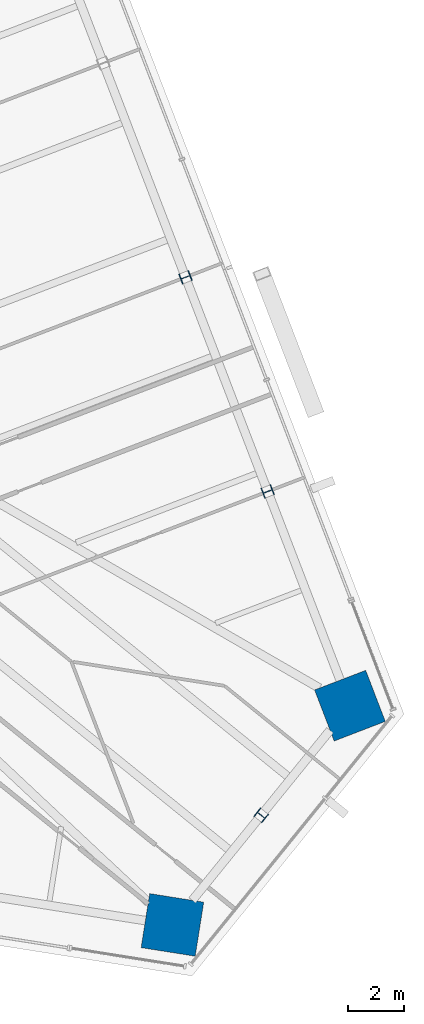
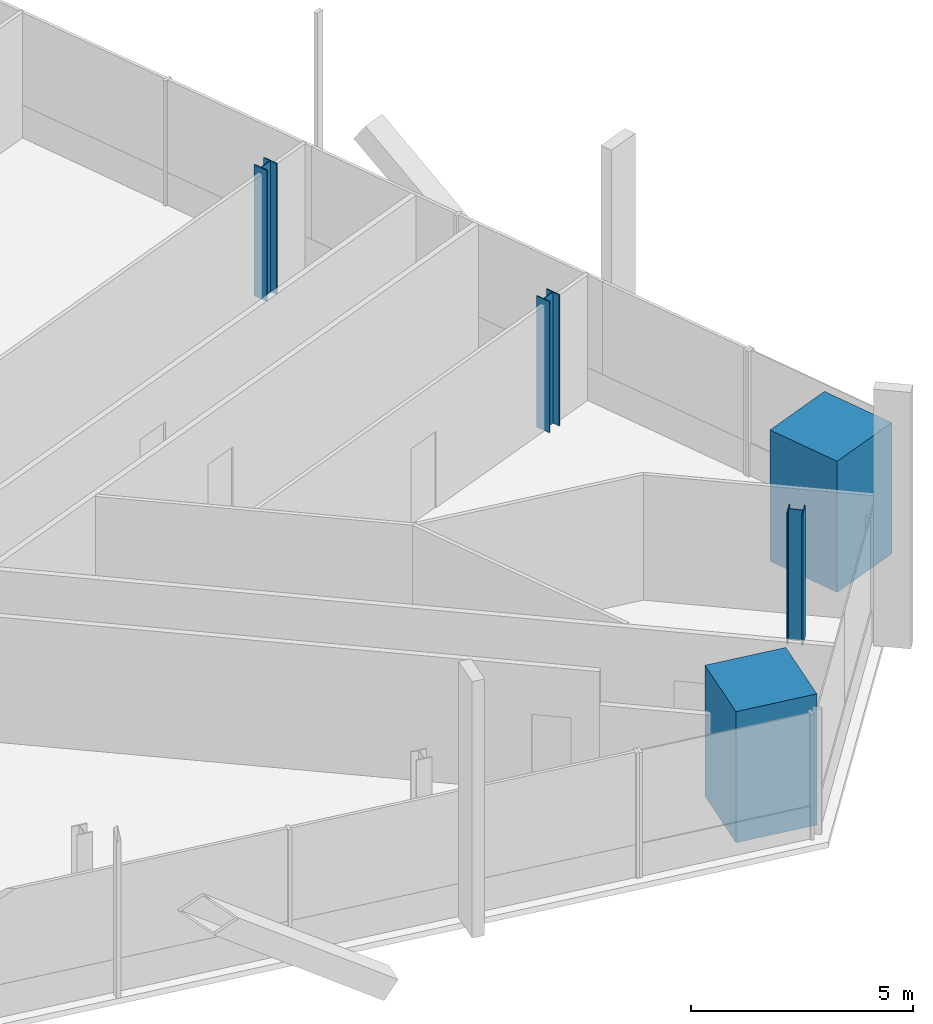
# One storey, part 2 of 21: 5 columns.
"""IFC4 building model written with IfcOpenShell, lengths in metres."""

import ifcopenshell
import ifcopenshell.guid

model = None  # the IFC model being written
_history = None  # IfcOwnerHistory: only IFC2X3 demands one
_inside = {}  # id of a spatial element -> (the spatial element, [elements in it])
_under = {}  # id of a project, library or spatial element -> (it, [spatial elements below it])
_declared = {}  # id of a project -> (the project, [libraries it declares])
_typed = {}  # id of a type object -> (the type object, [elements of that type])
_made_of = {}  # id of a material, layer set ... -> (it, [elements and type objects made of it])


def new_model(schema):
    """Start an empty IFC model of exactly this schema.

    Asked for "IFC4X3", IfcOpenShell would pick the latest addendum, in which some entities
    have other attributes; the version numbers below select the first issue.
    IFC2X3 requires an IfcOwnerHistory on every rooted entity: one is made here for all.
    """
    global model, _history
    if schema == "IFC4X3":
        model = ifcopenshell.file(schema_version=(4, 3, 0, 0))
    else:
        model = ifcopenshell.file(schema=schema)
    _inside.clear()
    _under.clear()
    _declared.clear()
    _typed.clear()
    _made_of.clear()
    _history = None
    if model.schema == "IFC2X3":
        org = make("IfcOrganization", Name="unknown")
        user = make(
            "IfcPersonAndOrganization",
            ThePerson=make("IfcPerson", FamilyName="unknown"),
            TheOrganization=org,
        )
        app = make(
            "IfcApplication",
            ApplicationDeveloper=org,
            Version="unknown",
            ApplicationFullName="unknown",
            ApplicationIdentifier="unknown",
        )
        _history = make(
            "IfcOwnerHistory",
            OwningUser=user,
            OwningApplication=app,
            ChangeAction="ADDED",
            CreationDate=0,
        )
    return model


def make(cls, **values):
    """One entity of the class cls with the attributes given. An attribute that is None is left unset."""
    return model.create_entity(
        cls, **{name: value for name, value in values.items() if value is not None}
    )


def rooted(cls, **values):
    """An entity with a GlobalId (a new one), such as an element, a storey or a relation."""
    return make(cls, GlobalId=ifcopenshell.guid.new(), OwnerHistory=_history, **values)


def si_unit(unit_type, name, prefix=None):
    """IfcSIUnit, for example si_unit("LENGTHUNIT", "METRE", prefix="MILLI")."""
    return make("IfcSIUnit", UnitType=unit_type, Prefix=prefix, Name=name)


def assignment(units):
    """IfcUnitAssignment: the units of a project."""
    return None if units is None else make("IfcUnitAssignment", Units=units)


def point(xyz):
    """IfcCartesianPoint."""
    return None if xyz is None else make("IfcCartesianPoint", Coordinates=xyz)


def direction(xyz):
    """IfcDirection."""
    return None if xyz is None else make("IfcDirection", DirectionRatios=xyz)


def frame(location, z_axis=None, x_axis=None):
    """IfcAxis2Placement3D, a coordinate frame: its origin and axes. An axis left out is left unset."""
    return make(
        "IfcAxis2Placement3D",
        Location=point(location),
        Axis=direction(z_axis),
        RefDirection=direction(x_axis),
    )


def frame_2d(location, x_axis=None):
    """IfcAxis2Placement2D, a coordinate frame in the plane: its origin and x axis."""
    return make(
        "IfcAxis2Placement2D", Location=point(location), RefDirection=direction(x_axis)
    )


def origin():
    """The frame at (0, 0, 0) with its axes left unset."""
    return frame((0.0, 0.0, 0.0))


def origin_2d():
    """The frame at (0, 0) in the plane with its x axis left unset."""
    return frame_2d((0.0, 0.0))


def place(relative_to, where):
    """IfcLocalPlacement: puts the frame where relative to a parent placement (None: the world)."""
    return make(
        "IfcLocalPlacement", PlacementRelTo=relative_to, RelativePlacement=where
    )


def context(
    kind, dimensions, precision=None, world=None, true_north=None, identifier=None
):
    """IfcGeometricRepresentationContext, for example the 3D "Model" context."""
    return make(
        "IfcGeometricRepresentationContext",
        ContextIdentifier=identifier,
        ContextType=kind,
        CoordinateSpaceDimension=dimensions,
        Precision=precision,
        WorldCoordinateSystem=world,
        TrueNorth=true_north,
    )


def subcontext(parent, identifier, kind, view, scale=None):
    """IfcGeometricRepresentationSubContext, for example "Body" below "Model"."""
    return make(
        "IfcGeometricRepresentationSubContext",
        ContextIdentifier=identifier,
        ContextType=kind,
        ParentContext=parent,
        TargetScale=scale,
        TargetView=view,
    )


def project(units=None, contexts=None):
    """IfcProject with its units and contexts."""
    return rooted(
        "IfcProject",
        Name="project",
        RepresentationContexts=contexts,
        UnitsInContext=assignment(units),
    )


def spatial(cls, under=None, at=None, **own):
    """A site, building, storey or space (cls), placed at a placement, below another one or the project."""
    s = rooted(cls, ObjectPlacement=at, **own)
    if under is not None:
        _under.setdefault(under.id(), (under, []))[1].append(s)
    return s


def profile(cls, at=None, kind="AREA", **sizes):
    """A parametric profile (cls). Its sizes go by their IFC names, for example OverallWidth=200.0."""
    return make(cls, ProfileType=kind, Position=at, **sizes)


def rectangle(**sizes):
    """IfcRectangleProfileDef."""
    return profile("IfcRectangleProfileDef", **sizes)


def i_section(**sizes):
    """IfcIShapeProfileDef."""
    return profile("IfcIShapeProfileDef", **sizes)


def extrude(swept, where, along, depth):
    """IfcExtrudedAreaSolid: the profile swept, set in the frame where, extruded along a direction by depth."""
    return make(
        "IfcExtrudedAreaSolid",
        SweptArea=swept,
        Position=where,
        ExtrudedDirection=direction(along),
        Depth=depth,
    )


def shape(context_of_items, identifier, shape_type, items):
    """IfcShapeRepresentation: the items that make up one representation, for example the "Body"."""
    return make(
        "IfcShapeRepresentation",
        ContextOfItems=context_of_items,
        RepresentationIdentifier=identifier,
        RepresentationType=shape_type,
        Items=items,
    )


def source(mapping_origin, context_of_items, identifier, shape_type, items):
    """IfcRepresentationMap: a shape defined once, which mapped items show again and again."""
    return make(
        "IfcRepresentationMap",
        MappingOrigin=mapping_origin,
        MappedRepresentation=shape(context_of_items, identifier, shape_type, items),
    )


def transform(
    local_origin,
    x_axis=None,
    y_axis=None,
    z_axis=None,
    scale=None,
    scale2=None,
    scale3=None,
    uniform=True,
):
    """IfcCartesianTransformationOperator3D, or its non-uniform kind. x_axis, y_axis, z_axis: its Axis1, 2, 3."""
    if uniform:
        return make(
            "IfcCartesianTransformationOperator3D",
            Axis1=direction(x_axis),
            Axis2=direction(y_axis),
            LocalOrigin=point(local_origin),
            Scale=scale,
            Axis3=direction(z_axis),
        )
    return make(
        "IfcCartesianTransformationOperator3DnonUniform",
        Axis1=direction(x_axis),
        Axis2=direction(y_axis),
        LocalOrigin=point(local_origin),
        Scale=scale,
        Axis3=direction(z_axis),
        Scale2=scale2,
        Scale3=scale3,
    )


def mapped(mapping_source, mapping_target):
    """IfcMappedItem: shows the shape of a source again, moved by a transform."""
    return make(
        "IfcMappedItem", MappingSource=mapping_source, MappingTarget=mapping_target
    )


def material(Name=None, Category=None):
    """IfcMaterial."""
    return make("IfcMaterial", Name=Name, Category=Category)


def material_profile(
    of_material, cross_section, Name=None, Category=None, Priority=None
):
    """IfcMaterialProfile: a cross section and its material."""
    return make(
        "IfcMaterialProfile",
        Name=Name,
        Material=of_material,
        Profile=cross_section,
        Priority=Priority,
        Category=Category,
    )


def profile_set(profiles, Name=None, composite=None):
    """IfcMaterialProfileSet."""
    return make(
        "IfcMaterialProfileSet",
        Name=Name,
        MaterialProfiles=profiles,
        CompositeProfile=composite,
    )


def made_of(thing, what):
    """Note that an element or type object is made of a material, layer set ...; save() writes the relation."""
    if what is not None:
        _made_of.setdefault(what.id(), (what, []))[1].append(thing)
    return thing


def type_object(cls, material=None, **own):
    """A type object (cls), such as IfcWallType, which elements share."""
    return made_of(rooted(cls, **own), material)


def element(
    cls,
    number,
    at=None,
    inside=None,
    cuts=None,
    type_object=None,
    material=None,
    context=None,
    identifier="Body",
    shape_type=None,
    held_by="IfcProductDefinitionShape",
    body=None,
    shapes=None,
    **own,
):
    """One element of the class cls, such as IfcWall. Its Tag is "e" and its number.

    at: its placement. inside: the storey or other place that contains it. cuts: it is an
    opening in that element (IfcRelVoidsElement). A single representation is given by context,
    identifier, shape_type and body (its items); several are given by shapes. held_by: the class
    of the entity that holds the representations. save() writes the other relations.
    """
    e = rooted(cls, Tag="e%d" % number, ObjectPlacement=at, **own)
    if body is not None:
        shapes = [shape(context, identifier, shape_type, body)]
    if shapes is not None:
        e.Representation = make(held_by, Representations=shapes)
    if inside is not None:
        _inside.setdefault(inside.id(), (inside, []))[1].append(e)
    if cuts is not None:
        rooted(
            "IfcRelVoidsElement", RelatingBuildingElement=cuts, RelatedOpeningElement=e
        )
    if type_object is not None:
        _typed.setdefault(type_object.id(), (type_object, []))[1].append(e)
    return made_of(e, material)


def aggregate(whole, parts):
    """IfcRelAggregates: a whole, such as a stair, and the parts it consists of."""
    return rooted("IfcRelAggregates", RelatingObject=whole, RelatedObjects=parts)


def save(model, path):
    """Write the relations noted so far, then the file.

    IfcRelAggregates (storeys below a building ...), IfcRelContainedInSpatialStructure (elements
    in a storey), IfcRelDefinesByType, IfcRelAssociatesMaterial and IfcRelDeclares: one each for
    every whole, place, type object, material and project.
    """
    for whole, parts in _under.values():
        aggregate(whole, parts)
    for where, things in _inside.values():
        rooted(
            "IfcRelContainedInSpatialStructure",
            RelatedElements=things,
            RelatingStructure=where,
        )
    for kind, things in _typed.values():
        rooted("IfcRelDefinesByType", RelatedObjects=things, RelatingType=kind)
    for what, things in _made_of.values():
        rooted("IfcRelAssociatesMaterial", RelatedObjects=things, RelatingMaterial=what)
    for by, libraries in _declared.values():
        rooted("IfcRelDeclares", RelatingContext=by, RelatedDefinitions=libraries)
    model.write(path)


model = new_model("IFC4")

# Units and contexts
model_context = context("Model", 3, precision=1e-05, world=origin(), true_north=direction((0.0, 1.0)))
body_context = subcontext(model_context, "Body", "Model", "MODEL_VIEW")
ifc_project = project(units=[si_unit("LENGTHUNIT", "METRE"), si_unit("AREAUNIT", "SQUARE_METRE"), si_unit("VOLUMEUNIT", "CUBIC_METRE"), si_unit("PLANEANGLEUNIT", "RADIAN"), si_unit("MASSUNIT", "GRAM", prefix="KILO")], contexts=[model_context])

# Site, building, storey
site_placement = place(None, origin())
site = spatial("IfcSite", under=ifc_project, at=site_placement, CompositionType="ELEMENT")
building_placement = place(site_placement, origin())
building = spatial("IfcBuilding", under=site, at=building_placement, Name="Triune Harvest Tower", CompositionType="ELEMENT")
storey_placement = place(building_placement, frame((0.0, 0.0, 146.10009765625)))
storey = spatial("IfcBuildingStorey", under=building, at=storey_placement, Name="L37", CompositionType="ELEMENT", Elevation=146.10009765625)

# Columns
ifc_material_1 = material(Name="Concrete 70 MPa", Category="concrete")
ifc_material_profile_1 = material_profile(ifc_material_1, rectangle(XDim=1.949951171875, YDim=1.949951171875, at=origin_2d()), Name="Composite 1950x1950")
ifc_profile_set_1 = profile_set([ifc_material_profile_1], Name="Concrete 70 MPa")
column_type_1 = type_object("IfcColumnType", Name="MC-4 Mega column Composite 1950x1950", PredefinedType="COLUMN", material=ifc_profile_set_1)
shared_shape_1 = source(origin(), body_context, "Body", "SweptSolid", [
    extrude(rectangle(XDim=1.949951171875, YDim=1.949951171875, at=origin_2d()), origin(), (0.0, 0.0, 1.0), 3.599853515625),
])
for number, where, z_axis, x_axis, name in (
    (1, (27.425048828125, -15.742431640625, 0.0), (0.0, 0.0, 1.0), (-0.358367949545, 0.933580426497, 0.0), "col/L37/M0"),
    (2, (21.100341796875, -23.552734375, 0.0), (0.0, 0.0, 1.0), (0.987688340595, -0.15643446504, 0.0), "col/L37/M22"),
):
    element("IfcColumn", number, at=place(storey_placement, frame(where, z_axis=z_axis, x_axis=x_axis)), inside=storey, type_object=column_type_1, Name=name, PredefinedType="COLUMN", context=body_context, shape_type="MappedRepresentation", body=[
        mapped(shared_shape_1, transform((0.0, 0.0, 0.0), scale=1.0)),
    ])
ifc_material_2 = material(Name="Steel ASTM A992 Gr 50", Category="steel")
ifc_material_profile_2 = material_profile(ifc_material_2, i_section(OverallWidth=0.373291015625, OverallDepth=0.373291015625, WebThickness=0.016357421875, FlangeThickness=0.026123046875, at=origin_2d()), Name="W14x132")
ifc_profile_set_2 = profile_set([ifc_material_profile_2], Name="Steel ASTM A992 Gr 50")
column_type_2 = type_object("IfcColumnType", Name="PC-4 Perimeter column W14x132", PredefinedType="COLUMN", material=ifc_profile_set_2)
shared_shape_2 = source(origin(), body_context, "Body", "SweptSolid", [
    extrude(i_section(OverallWidth=0.373291015625, OverallDepth=0.373291015625, WebThickness=0.016357421875, FlangeThickness=0.026123046875, at=origin_2d()), origin(), (0.0, 0.0, 1.0), 3.599853515625),
])
for number, where, z_axis, x_axis, name in (
    (3, (24.495361328125, -8.1103515625, 0.0), (0.0, 0.0, 1.0), (-0.358367949545, 0.933580426497, 0.0), "col/L37/P1"),
    (4, (21.565673828125, -0.478271484375, 0.0), (0.0, 0.0, 1.0), (-0.358367949545, 0.933580426497, 0.0), "col/L37/P2"),
    (5, (24.2626953125, -19.647705078125, 1.199951171875), (0.0, 0.0, 1.0), (0.629321747424, 0.777144863084, 0.0), "col/L37/P23"),
):
    element("IfcColumn", number, at=place(storey_placement, frame(where, z_axis=z_axis, x_axis=x_axis)), inside=storey, type_object=column_type_2, Name=name, PredefinedType="COLUMN", context=body_context, shape_type="MappedRepresentation", body=[
        mapped(shared_shape_2, transform((0.0, 0.0, 0.0), scale=1.0)),
    ])

save(model, "model.ifc")
